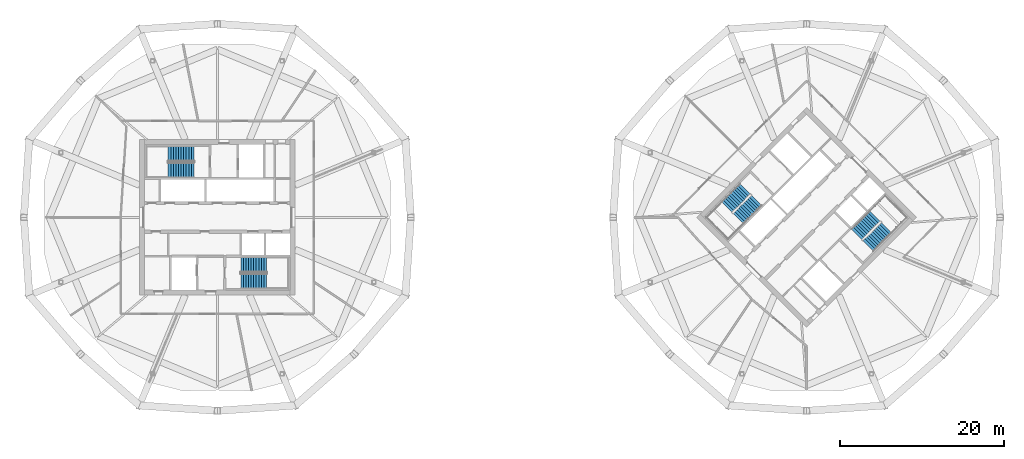
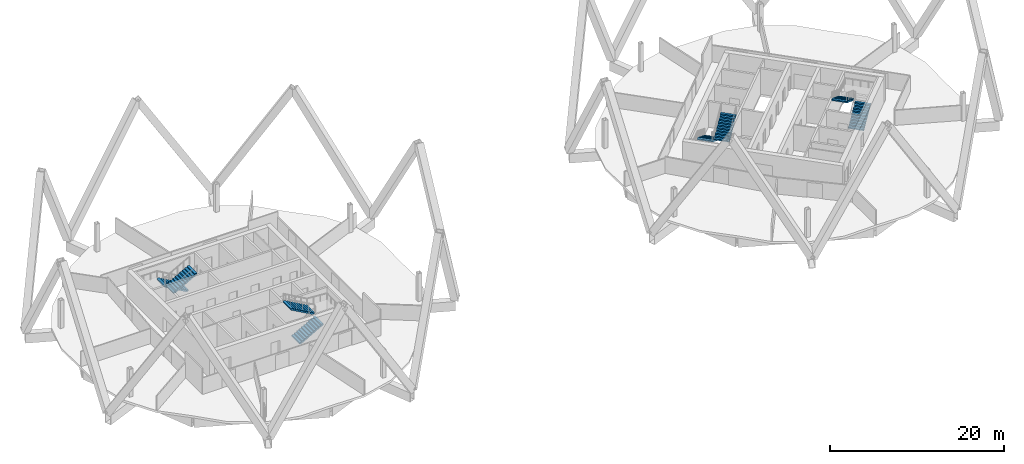
# One storey, part 8 of 9: 8 stair flights, 4 elements without a shape of their own.
"""IFC4 building model written with IfcOpenShell, lengths in metres."""

from ifc_helpers import new_model, si_unit, direction, frame, origin, place, context, subcontext, project, spatial, polyline, outline, extrude, material, type_object, element, aggregate, save


model = new_model("IFC4")

# Units and contexts
model_context = context("Model", 3, precision=1e-05, world=origin(), true_north=direction((0.0, 1.0)))
body_context = subcontext(model_context, "Body", "Model", "MODEL_VIEW")
ifc_project = project(units=[si_unit("LENGTHUNIT", "METRE"), si_unit("AREAUNIT", "SQUARE_METRE"), si_unit("VOLUMEUNIT", "CUBIC_METRE"), si_unit("PLANEANGLEUNIT", "RADIAN"), si_unit("MASSUNIT", "GRAM", prefix="KILO")], contexts=[model_context])

# Site, building, storey
site_placement = place(None, origin())
site = spatial("IfcSite", under=ifc_project, at=site_placement, CompositionType="ELEMENT")
building_placement = place(site_placement, origin())
building = spatial("IfcBuilding", under=site, at=building_placement, Name="Ogive Gate Towers", CompositionType="ELEMENT")
storey_placement = place(building_placement, frame((0.0, 0.0, 200.699951171875)))
storey = spatial("IfcBuildingStorey", under=building, at=storey_placement, Name="L48", CompositionType="ELEMENT", Elevation=200.699951171875)

# Stair, stair flights
ifc_material = material(Name="Concrete C40/50", Category="concrete")
stair_type = type_object("IfcStairType", Name="Escape stair 1840 wide", PredefinedType="HALF_TURN_STAIR", material=ifc_material)
stair_1_placement = place(storey_placement, origin())
stair_1 = element("IfcStair", 1, at=stair_1_placement, inside=storey, type_object=stair_type, Name="L48 Escape stair 1", PredefinedType="HALF_TURN_STAIR")
stair_flight_type = type_object("IfcStairFlightType", Name="Stair flight 1840 wide", PredefinedType="STRAIGHT", material=ifc_material)
stair_flight_1_placement = place(storey_placement, frame((-38.864990234375, 7.780029296875, 0.0), z_axis=(0.0, 0.0, 1.0), x_axis=(-1.0, 0.0, 0.0)))
stair_flight_1 = element("IfcStairFlight", 2, at=stair_flight_1_placement, type_object=stair_flight_type, Name="ST1 flight 1", NumberOfRisers=11, NumberOfTreads=10, PredefinedType="STRAIGHT", RiserHeight=0.177272727, TreadLength=0.313636364, context=body_context, shape_type="SweptSolid", body=[
    extrude(outline(polyline([(0.0, 0.0), (0.0, 0.17724609375), (0.313720703125, 0.17724609375), (0.313720703125, 0.3544921875), (0.627197265625, 0.3544921875), (0.627197265625, 0.53173828125), (0.94091796875, 0.53173828125), (0.94091796875, 0.708984375), (1.254638671875, 0.708984375), (1.254638671875, 0.886474609375), (1.568115234375, 0.886474609375), (1.568115234375, 1.063720703125), (1.8818359375, 1.063720703125), (1.8818359375, 1.240966796875), (2.195556640625, 1.240966796875), (2.195556640625, 1.418212890625), (2.509033203125, 1.418212890625), (2.509033203125, 1.595458984375), (2.82275390625, 1.595458984375), (2.82275390625, 1.772705078125), (3.136474609375, 1.772705078125), (3.136474609375, 1.949951171875), (3.136474609375, 1.6005859375), (0.3046875, 0.0), (0.0, 0.0)])), frame((0.0, 0.919921875, 0.0), z_axis=(0.0, -1.0, 0.0), x_axis=(1.0, 0.0, 0.0)), (0.0, 0.0, 1.0), 1.840087890625),
])
stair_flight_2_placement = place(storey_placement, frame((-42.00146484375, 5.794921875, 1.949951171875), z_axis=(0.0, 0.0, 1.0), x_axis=(1.0, 0.0, 0.0)))
stair_flight_2 = element("IfcStairFlight", 3, at=stair_flight_2_placement, type_object=stair_flight_type, Name="ST1 flight 2", NumberOfRisers=11, NumberOfTreads=10, PredefinedType="STRAIGHT", RiserHeight=0.177272727, TreadLength=0.313636364, context=body_context, shape_type="SweptSolid", body=[
    extrude(outline(polyline([(0.0, 0.0), (0.0, 0.17724609375), (0.313720703125, 0.17724609375), (0.313720703125, 0.3544921875), (0.627197265625, 0.3544921875), (0.627197265625, 0.53173828125), (0.94091796875, 0.53173828125), (0.94091796875, 0.708984375), (1.254638671875, 0.708984375), (1.254638671875, 0.886474609375), (1.568115234375, 0.886474609375), (1.568115234375, 1.063720703125), (1.8818359375, 1.063720703125), (1.8818359375, 1.240966796875), (2.195556640625, 1.240966796875), (2.195556640625, 1.418212890625), (2.509033203125, 1.418212890625), (2.509033203125, 1.595458984375), (2.82275390625, 1.595458984375), (2.82275390625, 1.772705078125), (3.136474609375, 1.772705078125), (3.136474609375, 1.949951171875), (3.136474609375, 1.6005859375), (0.3046875, 0.0), (0.0, 0.0)])), frame((0.0, 0.919921875, 0.0), z_axis=(0.0, -1.0, 0.0), x_axis=(1.0, 0.0, 0.0)), (0.0, 0.0, 1.0), 1.840087890625),
])
aggregate(stair_1, [stair_flight_1, stair_flight_2])

stair_2_placement = place(storey_placement, origin())
stair_2 = element("IfcStair", 4, at=stair_2_placement, inside=storey, type_object=stair_type, Name="L48 Escape stair 2", PredefinedType="HALF_TURN_STAIR")
stair_flight_3_placement = place(storey_placement, frame((-33.135009765625, -7.780029296875, 0.0), z_axis=(0.0, 0.0, 1.0), x_axis=(1.0, 0.0, 0.0)))
stair_flight_3 = element("IfcStairFlight", 5, at=stair_flight_3_placement, type_object=stair_flight_type, Name="ST2 flight 1", NumberOfRisers=11, NumberOfTreads=10, PredefinedType="STRAIGHT", RiserHeight=0.177272727, TreadLength=0.313636364, context=body_context, shape_type="SweptSolid", body=[
    extrude(outline(polyline([(0.0, 0.0), (0.0, 0.17724609375), (0.313720703125, 0.17724609375), (0.313720703125, 0.3544921875), (0.627197265625, 0.3544921875), (0.627197265625, 0.53173828125), (0.94091796875, 0.53173828125), (0.94091796875, 0.708984375), (1.254638671875, 0.708984375), (1.254638671875, 0.886474609375), (1.568115234375, 0.886474609375), (1.568115234375, 1.063720703125), (1.8818359375, 1.063720703125), (1.8818359375, 1.240966796875), (2.195556640625, 1.240966796875), (2.195556640625, 1.418212890625), (2.509033203125, 1.418212890625), (2.509033203125, 1.595458984375), (2.82275390625, 1.595458984375), (2.82275390625, 1.772705078125), (3.136474609375, 1.772705078125), (3.136474609375, 1.949951171875), (3.136474609375, 1.6005859375), (0.3046875, 0.0), (0.0, 0.0)])), frame((0.0, 0.919921875, 0.0), z_axis=(0.0, -1.0, 0.0), x_axis=(1.0, 0.0, 0.0)), (0.0, 0.0, 1.0), 1.840087890625),
])
stair_flight_4_placement = place(storey_placement, frame((-29.99853515625, -5.794921875, 1.949951171875), z_axis=(0.0, 0.0, 1.0), x_axis=(-1.0, 0.0, 0.0)))
stair_flight_4 = element("IfcStairFlight", 6, at=stair_flight_4_placement, type_object=stair_flight_type, Name="ST2 flight 2", NumberOfRisers=11, NumberOfTreads=10, PredefinedType="STRAIGHT", RiserHeight=0.177272727, TreadLength=0.313636364, context=body_context, shape_type="SweptSolid", body=[
    extrude(outline(polyline([(0.0, 0.0), (0.0, 0.17724609375), (0.313720703125, 0.17724609375), (0.313720703125, 0.3544921875), (0.627197265625, 0.3544921875), (0.627197265625, 0.53173828125), (0.94091796875, 0.53173828125), (0.94091796875, 0.708984375), (1.254638671875, 0.708984375), (1.254638671875, 0.886474609375), (1.568115234375, 0.886474609375), (1.568115234375, 1.063720703125), (1.8818359375, 1.063720703125), (1.8818359375, 1.240966796875), (2.195556640625, 1.240966796875), (2.195556640625, 1.418212890625), (2.509033203125, 1.418212890625), (2.509033203125, 1.595458984375), (2.82275390625, 1.595458984375), (2.82275390625, 1.772705078125), (3.136474609375, 1.772705078125), (3.136474609375, 1.949951171875), (3.136474609375, 1.6005859375), (0.3046875, 0.0), (0.0, 0.0)])), frame((0.0, 0.919921875, 0.0), z_axis=(0.0, -1.0, 0.0), x_axis=(1.0, 0.0, 0.0)), (0.0, 0.0, 1.0), 1.840087890625),
])
aggregate(stair_2, [stair_flight_3, stair_flight_4])

stair_3_placement = place(storey_placement, origin())
stair_3 = element("IfcStair", 7, at=stair_3_placement, inside=storey, type_object=stair_type, Name="L48 Escape stair 1", PredefinedType="HALF_TURN_STAIR")
stair_flight_5_placement = place(storey_placement, frame((28.472900390625, 3.475341796875, 0.0), z_axis=(0.0, 0.0, 1.0), x_axis=(-0.707106781187, -0.707106781187, 0.0)))
stair_flight_5 = element("IfcStairFlight", 8, at=stair_flight_5_placement, type_object=stair_flight_type, Name="ST1 flight 1", NumberOfRisers=11, NumberOfTreads=10, PredefinedType="STRAIGHT", RiserHeight=0.177272727, TreadLength=0.313636364, context=body_context, shape_type="SweptSolid", body=[
    extrude(outline(polyline([(0.0, 0.0), (0.0, 0.17724609375), (0.313720703125, 0.17724609375), (0.313720703125, 0.3544921875), (0.627197265625, 0.3544921875), (0.627197265625, 0.53173828125), (0.94091796875, 0.53173828125), (0.94091796875, 0.708984375), (1.254638671875, 0.708984375), (1.254638671875, 0.886474609375), (1.568115234375, 0.886474609375), (1.568115234375, 1.063720703125), (1.8818359375, 1.063720703125), (1.8818359375, 1.240966796875), (2.195556640625, 1.240966796875), (2.195556640625, 1.418212890625), (2.509033203125, 1.418212890625), (2.509033203125, 1.595458984375), (2.82275390625, 1.595458984375), (2.82275390625, 1.772705078125), (3.136474609375, 1.772705078125), (3.136474609375, 1.949951171875), (3.136474609375, 1.6005859375), (0.3046875, 0.0), (0.0, 0.0)])), frame((0.0, 0.919921875, 0.0), z_axis=(0.0, -1.0, 0.0), x_axis=(1.0, 0.0, 0.0)), (0.0, 0.0, 1.0), 1.840087890625),
])
stair_flight_6_placement = place(storey_placement, frame((27.65869140625, -0.14599609375, 1.949951171875), z_axis=(0.0, 0.0, 1.0), x_axis=(0.707106781187, 0.707106781187, 0.0)))
stair_flight_6 = element("IfcStairFlight", 9, at=stair_flight_6_placement, type_object=stair_flight_type, Name="ST1 flight 2", NumberOfRisers=11, NumberOfTreads=10, PredefinedType="STRAIGHT", RiserHeight=0.177272727, TreadLength=0.313636364, context=body_context, shape_type="SweptSolid", body=[
    extrude(outline(polyline([(0.0, 0.0), (0.0, 0.17724609375), (0.313720703125, 0.17724609375), (0.313720703125, 0.3544921875), (0.627197265625, 0.3544921875), (0.627197265625, 0.53173828125), (0.94091796875, 0.53173828125), (0.94091796875, 0.708984375), (1.254638671875, 0.708984375), (1.254638671875, 0.886474609375), (1.568115234375, 0.886474609375), (1.568115234375, 1.063720703125), (1.8818359375, 1.063720703125), (1.8818359375, 1.240966796875), (2.195556640625, 1.240966796875), (2.195556640625, 1.418212890625), (2.509033203125, 1.418212890625), (2.509033203125, 1.595458984375), (2.82275390625, 1.595458984375), (2.82275390625, 1.772705078125), (3.136474609375, 1.772705078125), (3.136474609375, 1.949951171875), (3.136474609375, 1.6005859375), (0.3046875, 0.0), (0.0, 0.0)])), frame((0.0, 0.919921875, 0.0), z_axis=(0.0, -1.0, 0.0), x_axis=(1.0, 0.0, 0.0)), (0.0, 0.0, 1.0), 1.840087890625),
])
aggregate(stair_3, [stair_flight_5, stair_flight_6])

stair_4_placement = place(storey_placement, origin())
stair_4 = element("IfcStair", 10, at=stair_4_placement, inside=storey, type_object=stair_type, Name="L48 Escape stair 2", PredefinedType="HALF_TURN_STAIR")
stair_flight_7_placement = place(storey_placement, frame((43.527099609375, -3.475341796875, 0.0), z_axis=(0.0, 0.0, 1.0), x_axis=(0.707106781187, 0.707106781187, 0.0)))
stair_flight_7 = element("IfcStairFlight", 11, at=stair_flight_7_placement, type_object=stair_flight_type, Name="ST2 flight 1", NumberOfRisers=11, NumberOfTreads=10, PredefinedType="STRAIGHT", RiserHeight=0.177272727, TreadLength=0.313636364, context=body_context, shape_type="SweptSolid", body=[
    extrude(outline(polyline([(0.0, 0.0), (0.0, 0.17724609375), (0.313720703125, 0.17724609375), (0.313720703125, 0.3544921875), (0.627197265625, 0.3544921875), (0.627197265625, 0.53173828125), (0.94091796875, 0.53173828125), (0.94091796875, 0.708984375), (1.254638671875, 0.708984375), (1.254638671875, 0.886474609375), (1.568115234375, 0.886474609375), (1.568115234375, 1.063720703125), (1.8818359375, 1.063720703125), (1.8818359375, 1.240966796875), (2.195556640625, 1.240966796875), (2.195556640625, 1.418212890625), (2.509033203125, 1.418212890625), (2.509033203125, 1.595458984375), (2.82275390625, 1.595458984375), (2.82275390625, 1.772705078125), (3.136474609375, 1.772705078125), (3.136474609375, 1.949951171875), (3.136474609375, 1.6005859375), (0.3046875, 0.0), (0.0, 0.0)])), frame((0.0, 0.919921875, 0.0), z_axis=(0.0, -1.0, 0.0), x_axis=(1.0, 0.0, 0.0)), (0.0, 0.0, 1.0), 1.840087890625),
])
stair_flight_8_placement = place(storey_placement, frame((44.34130859375, 0.14599609375, 1.949951171875), z_axis=(0.0, 0.0, 1.0), x_axis=(-0.707106781187, -0.707106781187, 0.0)))
stair_flight_8 = element("IfcStairFlight", 12, at=stair_flight_8_placement, type_object=stair_flight_type, Name="ST2 flight 2", NumberOfRisers=11, NumberOfTreads=10, PredefinedType="STRAIGHT", RiserHeight=0.177272727, TreadLength=0.313636364, context=body_context, shape_type="SweptSolid", body=[
    extrude(outline(polyline([(0.0, 0.0), (0.0, 0.17724609375), (0.313720703125, 0.17724609375), (0.313720703125, 0.3544921875), (0.627197265625, 0.3544921875), (0.627197265625, 0.53173828125), (0.94091796875, 0.53173828125), (0.94091796875, 0.708984375), (1.254638671875, 0.708984375), (1.254638671875, 0.886474609375), (1.568115234375, 0.886474609375), (1.568115234375, 1.063720703125), (1.8818359375, 1.063720703125), (1.8818359375, 1.240966796875), (2.195556640625, 1.240966796875), (2.195556640625, 1.418212890625), (2.509033203125, 1.418212890625), (2.509033203125, 1.595458984375), (2.82275390625, 1.595458984375), (2.82275390625, 1.772705078125), (3.136474609375, 1.772705078125), (3.136474609375, 1.949951171875), (3.136474609375, 1.6005859375), (0.3046875, 0.0), (0.0, 0.0)])), frame((0.0, 0.919921875, 0.0), z_axis=(0.0, -1.0, 0.0), x_axis=(1.0, 0.0, 0.0)), (0.0, 0.0, 1.0), 1.840087890625),
])
aggregate(stair_4, [stair_flight_7, stair_flight_8])

save(model, "model.ifc")
